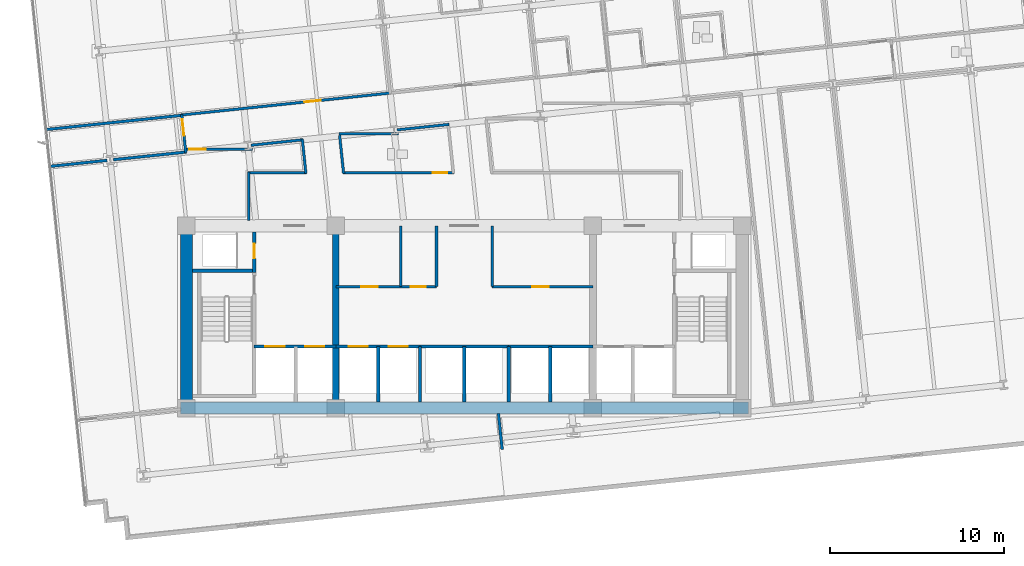
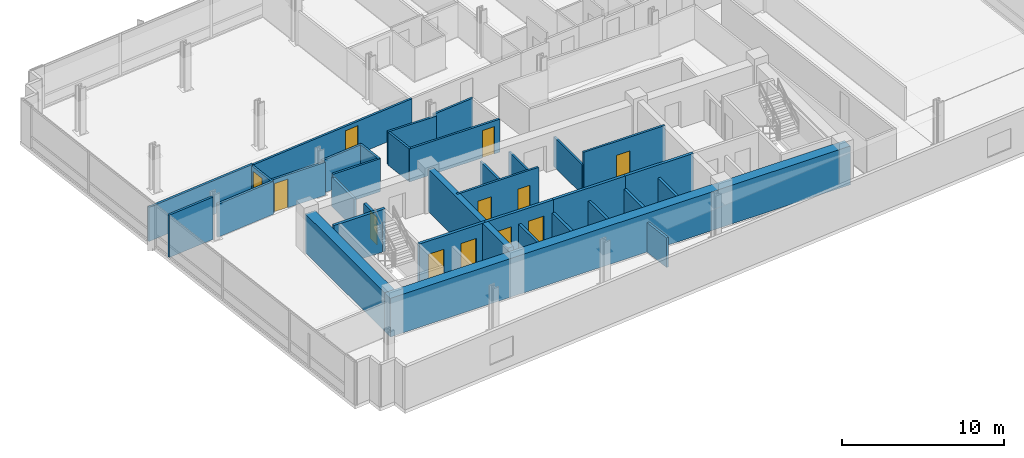
# One storey, part 10 of 17: 34 walls, 12 doors, 12 openings.
"""IFC4 building model written with IfcOpenShell, lengths in metres."""

import ifcopenshell
import ifcopenshell.guid

model = None  # the IFC model being written
_history = None  # IfcOwnerHistory: only IFC2X3 demands one
_inside = {}  # id of a spatial element -> (the spatial element, [elements in it])
_under = {}  # id of a project, library or spatial element -> (it, [spatial elements below it])
_declared = {}  # id of a project -> (the project, [libraries it declares])
_typed = {}  # id of a type object -> (the type object, [elements of that type])
_made_of = {}  # id of a material, layer set ... -> (it, [elements and type objects made of it])


def new_model(schema):
    """Start an empty IFC model of exactly this schema.

    Asked for "IFC4X3", IfcOpenShell would pick the latest addendum, in which some entities
    have other attributes; the version numbers below select the first issue.
    IFC2X3 requires an IfcOwnerHistory on every rooted entity: one is made here for all.
    """
    global model, _history
    if schema == "IFC4X3":
        model = ifcopenshell.file(schema_version=(4, 3, 0, 0))
    else:
        model = ifcopenshell.file(schema=schema)
    _inside.clear()
    _under.clear()
    _declared.clear()
    _typed.clear()
    _made_of.clear()
    _history = None
    if model.schema == "IFC2X3":
        org = make("IfcOrganization", Name="unknown")
        user = make(
            "IfcPersonAndOrganization",
            ThePerson=make("IfcPerson", FamilyName="unknown"),
            TheOrganization=org,
        )
        app = make(
            "IfcApplication",
            ApplicationDeveloper=org,
            Version="unknown",
            ApplicationFullName="unknown",
            ApplicationIdentifier="unknown",
        )
        _history = make(
            "IfcOwnerHistory",
            OwningUser=user,
            OwningApplication=app,
            ChangeAction="ADDED",
            CreationDate=0,
        )
    return model


def make(cls, **values):
    """One entity of the class cls with the attributes given. An attribute that is None is left unset."""
    return model.create_entity(
        cls, **{name: value for name, value in values.items() if value is not None}
    )


def rooted(cls, **values):
    """An entity with a GlobalId (a new one), such as an element, a storey or a relation."""
    return make(cls, GlobalId=ifcopenshell.guid.new(), OwnerHistory=_history, **values)


def si_unit(unit_type, name, prefix=None):
    """IfcSIUnit, for example si_unit("LENGTHUNIT", "METRE", prefix="MILLI")."""
    return make("IfcSIUnit", UnitType=unit_type, Prefix=prefix, Name=name)


def assignment(units):
    """IfcUnitAssignment: the units of a project."""
    return None if units is None else make("IfcUnitAssignment", Units=units)


def point(xyz):
    """IfcCartesianPoint."""
    return None if xyz is None else make("IfcCartesianPoint", Coordinates=xyz)


def direction(xyz):
    """IfcDirection."""
    return None if xyz is None else make("IfcDirection", DirectionRatios=xyz)


def frame(location, z_axis=None, x_axis=None):
    """IfcAxis2Placement3D, a coordinate frame: its origin and axes. An axis left out is left unset."""
    return make(
        "IfcAxis2Placement3D",
        Location=point(location),
        Axis=direction(z_axis),
        RefDirection=direction(x_axis),
    )


def frame_2d(location, x_axis=None):
    """IfcAxis2Placement2D, a coordinate frame in the plane: its origin and x axis."""
    return make(
        "IfcAxis2Placement2D", Location=point(location), RefDirection=direction(x_axis)
    )


def origin():
    """The frame at (0, 0, 0) with its axes left unset."""
    return frame((0.0, 0.0, 0.0))


def place(relative_to, where):
    """IfcLocalPlacement: puts the frame where relative to a parent placement (None: the world)."""
    return make(
        "IfcLocalPlacement", PlacementRelTo=relative_to, RelativePlacement=where
    )


def context(
    kind, dimensions, precision=None, world=None, true_north=None, identifier=None
):
    """IfcGeometricRepresentationContext, for example the 3D "Model" context."""
    return make(
        "IfcGeometricRepresentationContext",
        ContextIdentifier=identifier,
        ContextType=kind,
        CoordinateSpaceDimension=dimensions,
        Precision=precision,
        WorldCoordinateSystem=world,
        TrueNorth=true_north,
    )


def subcontext(parent, identifier, kind, view, scale=None):
    """IfcGeometricRepresentationSubContext, for example "Body" below "Model"."""
    return make(
        "IfcGeometricRepresentationSubContext",
        ContextIdentifier=identifier,
        ContextType=kind,
        ParentContext=parent,
        TargetScale=scale,
        TargetView=view,
    )


def project(units=None, contexts=None):
    """IfcProject with its units and contexts."""
    return rooted(
        "IfcProject",
        Name="project",
        RepresentationContexts=contexts,
        UnitsInContext=assignment(units),
    )


def spatial(cls, under=None, at=None, **own):
    """A site, building, storey or space (cls), placed at a placement, below another one or the project."""
    s = rooted(cls, ObjectPlacement=at, **own)
    if under is not None:
        _under.setdefault(under.id(), (under, []))[1].append(s)
    return s


def profile(cls, at=None, kind="AREA", **sizes):
    """A parametric profile (cls). Its sizes go by their IFC names, for example OverallWidth=200.0."""
    return make(cls, ProfileType=kind, Position=at, **sizes)


def rectangle(**sizes):
    """IfcRectangleProfileDef."""
    return profile("IfcRectangleProfileDef", **sizes)


def extrude(swept, where, along, depth):
    """IfcExtrudedAreaSolid: the profile swept, set in the frame where, extruded along a direction by depth."""
    return make(
        "IfcExtrudedAreaSolid",
        SweptArea=swept,
        Position=where,
        ExtrudedDirection=direction(along),
        Depth=depth,
    )


def shape(context_of_items, identifier, shape_type, items):
    """IfcShapeRepresentation: the items that make up one representation, for example the "Body"."""
    return make(
        "IfcShapeRepresentation",
        ContextOfItems=context_of_items,
        RepresentationIdentifier=identifier,
        RepresentationType=shape_type,
        Items=items,
    )


def material(Name=None, Category=None):
    """IfcMaterial."""
    return make("IfcMaterial", Name=Name, Category=Category)


def layer(
    of_material, thickness, ventilated=None, Name=None, Category=None, Priority=None
):
    """IfcMaterialLayer: one layer of a wall or slab, of a material (None: an air gap)."""
    return make(
        "IfcMaterialLayer",
        Material=of_material,
        LayerThickness=thickness,
        IsVentilated=ventilated,
        Name=Name,
        Category=Category,
        Priority=Priority,
    )


def layer_set(layers, Name=None):
    """IfcMaterialLayerSet."""
    return make("IfcMaterialLayerSet", MaterialLayers=layers, LayerSetName=Name)


def made_of(thing, what):
    """Note that an element or type object is made of a material, layer set ...; save() writes the relation."""
    if what is not None:
        _made_of.setdefault(what.id(), (what, []))[1].append(thing)
    return thing


def type_object(cls, material=None, **own):
    """A type object (cls), such as IfcWallType, which elements share."""
    return made_of(rooted(cls, **own), material)


def element(
    cls,
    number,
    at=None,
    inside=None,
    cuts=None,
    type_object=None,
    material=None,
    context=None,
    identifier="Body",
    shape_type=None,
    held_by="IfcProductDefinitionShape",
    body=None,
    shapes=None,
    **own,
):
    """One element of the class cls, such as IfcWall. Its Tag is "e" and its number.

    at: its placement. inside: the storey or other place that contains it. cuts: it is an
    opening in that element (IfcRelVoidsElement). A single representation is given by context,
    identifier, shape_type and body (its items); several are given by shapes. held_by: the class
    of the entity that holds the representations. save() writes the other relations.
    """
    e = rooted(cls, Tag="e%d" % number, ObjectPlacement=at, **own)
    if body is not None:
        shapes = [shape(context, identifier, shape_type, body)]
    if shapes is not None:
        e.Representation = make(held_by, Representations=shapes)
    if inside is not None:
        _inside.setdefault(inside.id(), (inside, []))[1].append(e)
    if cuts is not None:
        rooted(
            "IfcRelVoidsElement", RelatingBuildingElement=cuts, RelatedOpeningElement=e
        )
    if type_object is not None:
        _typed.setdefault(type_object.id(), (type_object, []))[1].append(e)
    return made_of(e, material)


def fill(opening, filler):
    """IfcRelFillsElement: the door or window that sits in an opening."""
    return rooted(
        "IfcRelFillsElement",
        RelatingOpeningElement=opening,
        RelatedBuildingElement=filler,
    )


def aggregate(whole, parts):
    """IfcRelAggregates: a whole, such as a stair, and the parts it consists of."""
    return rooted("IfcRelAggregates", RelatingObject=whole, RelatedObjects=parts)


def save(model, path):
    """Write the relations noted so far, then the file.

    IfcRelAggregates (storeys below a building ...), IfcRelContainedInSpatialStructure (elements
    in a storey), IfcRelDefinesByType, IfcRelAssociatesMaterial and IfcRelDeclares: one each for
    every whole, place, type object, material and project.
    """
    for whole, parts in _under.values():
        aggregate(whole, parts)
    for where, things in _inside.values():
        rooted(
            "IfcRelContainedInSpatialStructure",
            RelatedElements=things,
            RelatingStructure=where,
        )
    for kind, things in _typed.values():
        rooted("IfcRelDefinesByType", RelatedObjects=things, RelatingType=kind)
    for what, things in _made_of.values():
        rooted("IfcRelAssociatesMaterial", RelatedObjects=things, RelatingMaterial=what)
    for by, libraries in _declared.values():
        rooted("IfcRelDeclares", RelatingContext=by, RelatedDefinitions=libraries)
    model.write(path)


model = new_model("IFC4")

# Units and contexts
model_context = context("Model", 3, precision=1e-05, world=origin(), true_north=direction((0.0, 1.0)))
body_context = subcontext(model_context, "Body", "Model", "MODEL_VIEW")
ifc_project = project(units=[si_unit("LENGTHUNIT", "METRE"), si_unit("AREAUNIT", "SQUARE_METRE"), si_unit("VOLUMEUNIT", "CUBIC_METRE"), si_unit("PLANEANGLEUNIT", "RADIAN"), si_unit("MASSUNIT", "GRAM", prefix="KILO")], contexts=[model_context])

# Site, building, storey
site_placement = place(None, origin())
site = spatial("IfcSite", under=ifc_project, at=site_placement, CompositionType="ELEMENT")
building_placement = place(site_placement, origin())
building = spatial("IfcBuilding", under=site, at=building_placement, Name="Solmavex Isthmus Hotel", CompositionType="ELEMENT")
storey_placement = place(building_placement, frame((0.0, 0.0, 90.449951171875)))
storey = spatial("IfcBuildingStorey", under=building, at=storey_placement, Name="L24", CompositionType="ELEMENT", Elevation=90.449951171875)

# Walls
ifc_material_1 = material(Name="Gypsum plasterboard lining", Category="gypsum")
ifc_layer_1 = layer(ifc_material_1, 0.159912109375)
ifc_layer_set_1 = layer_set([ifc_layer_1], Name="Gypsum plasterboard lining")
wall_type_1 = type_object("IfcWallType", Name="IW-COMP-160", PredefinedType="PARTITIONING", material=ifc_layer_set_1)
wall_1_placement = place(storey_placement, frame((-16.221923828125, 3.86474609375, 0.0), z_axis=(0.0, 0.0, 1.0), x_axis=(-0.994522987852, -0.104518068455, 0.0)))
element("IfcWall", 1, at=wall_1_placement, inside=storey, type_object=wall_type_1, Name="Interior Partition Wall W-L24-P037", PredefinedType="PARTITIONING", context=body_context, shape_type="SweptSolid", body=[
    extrude(rectangle(XDim=7.927978515625, YDim=0.159912109375, at=frame_2d((3.9638671875, 0.0))), origin(), (0.0, 0.0, 1.0), 2.55322265625),
])
wall_2_placement = place(storey_placement, frame((-20.558349609375, 1.267333984375, 0.0), z_axis=(0.0, 0.0, 1.0), x_axis=(-0.99451904707, -0.10455555946, 0.0)))
element("IfcWall", 2, at=wall_2_placement, inside=storey, type_object=wall_type_1, Name="Interior Partition Wall W-L24-P068", PredefinedType="PARTITIONING", context=body_context, shape_type="SweptSolid", body=[
    extrude(rectangle(XDim=3.34375, YDim=0.159912109375, at=frame_2d((1.671875, 0.0))), origin(), (0.0, 0.0, 1.0), 3.18994140625),
])
wall_3_placement = place(storey_placement, frame((-15.9892578125, 1.74755859375, 0.0), z_axis=(0.0, 0.0, 1.0), x_axis=(-0.994523098997, -0.104517010867, 0.0)))
element("IfcWall", 3, at=wall_3_placement, inside=storey, type_object=wall_type_1, Name="Interior Partition Wall W-L24-P069", PredefinedType="PARTITIONING", context=body_context, shape_type="SweptSolid", body=[
    extrude(rectangle(XDim=4.241943359375, YDim=0.159912109375, at=frame_2d((2.12109375, 0.0))), origin(), (0.0, 0.0, 1.0), 2.4794921875),
])
wall_4_placement = place(storey_placement, frame((1.965087890625, -13.310302734375, 0.0), z_axis=(0.0, 0.0, 1.0), x_axis=(0.104464822166, -0.994528582259, 0.0)))
element("IfcWall", 4, at=wall_4_placement, inside=storey, type_object=wall_type_1, Name="Interior Partition Wall W-L24-P071", PredefinedType="PARTITIONING", context=body_context, shape_type="SweptSolid", body=[
    extrude(rectangle(XDim=2.080078125, YDim=0.159912109375, at=frame_2d((1.0400390625, 0.0))), origin(), (0.0, 0.0, 1.0), 2.22509765625),
])

# Wall, openings, doors
ifc_layer_2 = layer(ifc_material_1, 0.14990234375)
ifc_layer_set_2 = layer_set([ifc_layer_2], Name="Gypsum plasterboard lining")
wall_type_2 = type_object("IfcWallType", Name="IW-CORR-150", PredefinedType="PARTITIONING", material=ifc_layer_set_2)
wall_5_placement = place(storey_placement, frame((-7.39990234375, -6.0, 0.0), z_axis=(0.0, 0.0, 1.0), x_axis=(1.0, 0.0, 0.0)))
wall_5 = element("IfcWall", 5, at=wall_5_placement, inside=storey, type_object=wall_type_2, Name="Interior Partition Wall W-L24-BOH-WS", PredefinedType="PARTITIONING", context=body_context, shape_type="SweptSolid", body=[
    extrude(rectangle(XDim=5.7998046875, YDim=0.14990234375, at=frame_2d((2.89990234375, 0.0))), origin(), (0.0, 0.0, 1.0), 3.18994140625),
])
opening_1_placement = place(wall_5_placement, frame((1.47509765625, 0.0, 0.0)))
opening_1 = element("IfcOpeningElement", 6, at=opening_1_placement, cuts=wall_5, Name="Opening ID-C095", PredefinedType="OPENING", context=body_context, shape_type="SweptSolid", body=[
    extrude(rectangle(XDim=0.949951171875, YDim=2.14990234375, at=frame_2d((0.47509765625, 1.074951171875))), frame((0.0, 0.0849609375, 0.0), z_axis=(0.0, -1.0, 0.0), x_axis=(1.0, 0.0, 0.0)), (0.0, 0.0, 1.0), 0.169921875),
])
opening_2_placement = place(wall_5_placement, frame((4.324951171875, 0.0, 0.0)))
opening_2 = element("IfcOpeningElement", 7, at=opening_2_placement, cuts=wall_5, Name="Opening ID-R085", PredefinedType="OPENING", context=body_context, shape_type="SweptSolid", body=[
    extrude(rectangle(XDim=0.85009765625, YDim=2.050048828125, at=frame_2d((0.425048828125, 1.02490234375))), frame((0.0, 0.0849609375, 0.0), z_axis=(0.0, -1.0, 0.0), x_axis=(1.0, 0.0, 0.0)), (0.0, 0.0, 1.0), 0.169921875),
])
ifc_material_2 = material(Name="Steel ASTM A500 Grade C", Category="steel")
door_type_1 = type_object("IfcDoorType", Name="IDR-FD60-0850", OperationType="NOTDEFINED", PredefinedType="DOOR", material=ifc_material_2)
door_1_placement = place(opening_2_placement, frame((0.85009765625, 0.0, 0.0), z_axis=(0.0, 0.0, 1.0), x_axis=(-1.0, 0.0, 0.0)))
door_1 = element("IfcDoor", 8, at=door_1_placement, inside=storey, type_object=door_type_1, Name="Cleaner Closet Door L24", OperationType="SINGLE_SWING_RIGHT", OverallHeight=2.050048828125, OverallWidth=0.85009765625, PredefinedType="DOOR", context=body_context, shape_type="SweptSolid", body=[
    extrude(rectangle(XDim=0.85009765625, YDim=2.050048828125, at=frame_2d((0.425048828125, 1.02490234375))), frame((0.0, 0.02490234375, 0.0), z_axis=(0.0, -1.0, 0.0), x_axis=(1.0, 0.0, 0.0)), (0.0, 0.0, 1.0), 0.050048828125),
])
fill(opening_2, door_1)
ifc_material_3 = material(Name="Hardwood timber", Category="wood")
door_type_2 = type_object("IfcDoorType", Name="IDR-FD60-0950", OperationType="NOTDEFINED", PredefinedType="DOOR", material=ifc_material_3)
door_2_placement = place(opening_1_placement, frame((0.949951171875, 0.0, 0.0), z_axis=(0.0, 0.0, 1.0), x_axis=(-1.0, 0.0, 0.0)))
door_2 = element("IfcDoor", 9, at=door_2_placement, inside=storey, type_object=door_type_2, Name="Housekeeping Store Door L24", OperationType="SINGLE_SWING_LEFT", OverallHeight=2.14990234375, OverallWidth=0.949951171875, PredefinedType="DOOR", context=body_context, shape_type="SweptSolid", body=[
    extrude(rectangle(XDim=0.949951171875, YDim=2.14990234375, at=frame_2d((0.47509765625, 1.074951171875))), frame((0.0, 0.02490234375, 0.0), z_axis=(0.0, -1.0, 0.0), x_axis=(1.0, 0.0, 0.0)), (0.0, 0.0, 1.0), 0.050048828125),
])
fill(opening_1, door_2)

# Wall
wall_6_placement = place(storey_placement, frame((-1.60009765625, -6.0, 0.0), z_axis=(0.0, 0.0, 1.0), x_axis=(0.0, 1.0, 0.0)))
element("IfcWall", 10, at=wall_6_placement, inside=storey, type_object=wall_type_2, Name="Interior Partition Wall W-L24-BOH-WE", PredefinedType="PARTITIONING", context=body_context, shape_type="SweptSolid", body=[
    extrude(rectangle(XDim=3.5, YDim=0.14990234375, at=frame_2d((1.75, 0.0))), origin(), (0.0, 0.0, 1.0), 2.22509765625),
])

# Wall, opening, door
wall_7_placement = place(storey_placement, frame((1.60009765625, -6.0, 0.0), z_axis=(0.0, 0.0, 1.0), x_axis=(1.0, 0.0, 0.0)))
wall_7 = element("IfcWall", 11, at=wall_7_placement, inside=storey, type_object=wall_type_2, Name="Interior Partition Wall W-L24-BOH-ES", PredefinedType="PARTITIONING", context=body_context, shape_type="SweptSolid", body=[
    extrude(rectangle(XDim=5.7998046875, YDim=0.14990234375, at=frame_2d((2.89990234375, 0.0))), origin(), (0.0, 0.0, 1.0), 3.18994140625),
])
opening_3_placement = place(wall_7_placement, frame((2.324951171875, 0.0, 0.0)))
opening_3 = element("IfcOpeningElement", 12, at=opening_3_placement, cuts=wall_7, Name="Opening ID-C095", PredefinedType="OPENING", context=body_context, shape_type="SweptSolid", body=[
    extrude(rectangle(XDim=0.949951171875, YDim=2.14990234375, at=frame_2d((0.47509765625, 1.074951171875))), frame((0.0, 0.0849609375, 0.0), z_axis=(0.0, -1.0, 0.0), x_axis=(1.0, 0.0, 0.0)), (0.0, 0.0, 1.0), 0.169921875),
])
door_3_placement = place(opening_3_placement, frame((0.949951171875, 0.0, 0.0), z_axis=(0.0, 0.0, 1.0), x_axis=(-1.0, 0.0, 0.0)))
door_3 = element("IfcDoor", 13, at=door_3_placement, inside=storey, type_object=door_type_2, Name="Butler Pantry Door L24", OperationType="SINGLE_SWING_RIGHT", OverallHeight=2.14990234375, OverallWidth=0.949951171875, PredefinedType="DOOR", context=body_context, shape_type="SweptSolid", body=[
    extrude(rectangle(XDim=0.949951171875, YDim=2.14990234375, at=frame_2d((0.47509765625, 1.074951171875))), frame((0.0, 0.02490234375, 0.0), z_axis=(0.0, -1.0, 0.0), x_axis=(1.0, 0.0, 0.0)), (0.0, 0.0, 1.0), 0.050048828125),
])
fill(opening_3, door_3)

# Wall
wall_8_placement = place(storey_placement, frame((1.60009765625, -6.0, 0.0), z_axis=(0.0, 0.0, 1.0), x_axis=(0.0, 1.0, 0.0)))
element("IfcWall", 14, at=wall_8_placement, inside=storey, type_object=wall_type_2, Name="Interior Partition Wall W-L24-BOH-EW", PredefinedType="PARTITIONING", context=body_context, shape_type="SweptSolid", body=[
    extrude(rectangle(XDim=3.5, YDim=0.14990234375, at=frame_2d((1.75, 0.0))), origin(), (0.0, 0.0, 1.0), 2.22509765625),
])

# Wall, opening, door
wall_9_placement = place(storey_placement, frame((-16.303466796875, 3.87646484375, 0.0), z_axis=(0.0, 0.0, 1.0), x_axis=(0.994522343224, 0.104524202122, 0.0)))
wall_9 = element("IfcWall", 15, at=wall_9_placement, inside=storey, type_object=wall_type_2, Name="Interior Partition Wall W-L24-P001", PredefinedType="PARTITIONING", context=body_context, shape_type="SweptSolid", body=[
    extrude(rectangle(XDim=12.187744140625, YDim=0.14990234375, at=frame_2d((6.09375, 0.0))), origin(), (0.0, 0.0, 1.0), 2.4794921875),
])
opening_4_placement = place(wall_9_placement, frame((7.14453125, 0.0, 0.0)))
opening_4 = element("IfcOpeningElement", 16, at=opening_4_placement, cuts=wall_9, Name="Opening ID-C095", PredefinedType="OPENING", context=body_context, shape_type="SweptSolid", body=[
    extrude(rectangle(XDim=0.949951171875, YDim=2.14990234375, at=frame_2d((0.47509765625, 1.074951171875))), frame((0.0, 0.0849609375, 0.0), z_axis=(0.0, -1.0, 0.0), x_axis=(1.0, 0.0, 0.0)), (0.0, 0.0, 1.0), 0.169921875),
])
door_4_placement = place(opening_4_placement, origin())
door_4 = element("IfcDoor", 17, at=door_4_placement, inside=storey, type_object=door_type_2, Name="Corporate Briefing Office Door L24-01", OperationType="SINGLE_SWING_LEFT", OverallHeight=2.14990234375, OverallWidth=0.949951171875, PredefinedType="DOOR", context=body_context, shape_type="SweptSolid", body=[
    extrude(rectangle(XDim=0.949951171875, YDim=2.14990234375, at=frame_2d((0.47509765625, 1.074951171875))), frame((0.0, 0.02490234375, 0.0), z_axis=(0.0, -1.0, 0.0), x_axis=(1.0, 0.0, 0.0)), (0.0, 0.0, 1.0), 0.050048828125),
])
fill(opening_4, door_4)

# Walls
wall_10_placement = place(storey_placement, frame((-3.7841796875, 2.78857421875, 0.0), z_axis=(0.0, 0.0, 1.0), x_axis=(-1.0, 0.0, 0.0)))
element("IfcWall", 18, at=wall_10_placement, inside=storey, type_object=wall_type_2, Name="Interior Partition Wall W-L24-P010", PredefinedType="PARTITIONING", context=body_context, shape_type="SweptSolid", body=[
    extrude(rectangle(XDim=3.430419921875, YDim=0.14990234375, at=frame_2d((1.71533203125, 0.0))), origin(), (0.0, 0.0, 1.0), 2.4794921875),
])
wall_11_placement = place(storey_placement, frame((-7.178955078125, 2.7138671875, 0.0), z_axis=(0.0, 0.0, 1.0), x_axis=(0.104455355485, -0.994529576589, 0.0)))
element("IfcWall", 19, at=wall_11_placement, inside=storey, type_object=wall_type_2, Name="Interior Partition Wall W-L24-P011", PredefinedType="PARTITIONING", context=body_context, shape_type="SweptSolid", body=[
    extrude(rectangle(XDim=2.2158203125, YDim=0.14990234375, at=frame_2d((1.10791015625, 0.0))), origin(), (0.0, 0.0, 1.0), 2.4794921875),
])

# Wall, opening, door
wall_12_placement = place(storey_placement, frame((-6.99169921875, 0.550048828125, 0.0), z_axis=(0.0, 0.0, 1.0), x_axis=(1.0, 0.0, 0.0)))
wall_12 = element("IfcWall", 20, at=wall_12_placement, inside=storey, type_object=wall_type_2, Name="Interior Partition Wall W-L24-P012", PredefinedType="PARTITIONING", context=body_context, shape_type="SweptSolid", body=[
    extrude(rectangle(XDim=6.400634765625, YDim=0.14990234375, at=frame_2d((3.2001953125, 0.0))), origin(), (0.0, 0.0, 1.0), 2.4794921875),
])
opening_5_placement = place(wall_12_placement, frame((5.16455078125, 0.0, 0.0)))
opening_5 = element("IfcOpeningElement", 21, at=opening_5_placement, cuts=wall_12, Name="Opening ID-R085", PredefinedType="OPENING", context=body_context, shape_type="SweptSolid", body=[
    extrude(rectangle(XDim=0.85009765625, YDim=2.050048828125, at=frame_2d((0.425048828125, 1.02490234375))), frame((0.0, 0.0849609375, 0.0), z_axis=(0.0, -1.0, 0.0), x_axis=(1.0, 0.0, 0.0)), (0.0, 0.0, 1.0), 0.169921875),
])
door_5_placement = place(opening_5_placement, frame((0.85009765625, 0.0, 0.0), z_axis=(0.0, 0.0, 1.0), x_axis=(-1.0, 0.0, 0.0)))
door_5 = element("IfcDoor", 22, at=door_5_placement, inside=storey, type_object=door_type_1, Name="Accessible Public Restroom WC Door L24-13", OperationType="SINGLE_SWING_LEFT", OverallHeight=2.050048828125, OverallWidth=0.85009765625, PredefinedType="DOOR", context=body_context, shape_type="SweptSolid", body=[
    extrude(rectangle(XDim=0.85009765625, YDim=2.050048828125, at=frame_2d((0.425048828125, 1.02490234375))), frame((0.0, 0.02490234375, 0.0), z_axis=(0.0, -1.0, 0.0), x_axis=(1.0, 0.0, 0.0)), (0.0, 0.0, 1.0), 0.050048828125),
])
fill(opening_5, door_5)

# Wall
wall_13_placement = place(storey_placement, frame((-0.883544921875, 3.335205078125, 0.0), z_axis=(0.0, 0.0, 1.0), x_axis=(-0.994522848096, -0.104519398272, 0.0)))
element("IfcWall", 23, at=wall_13_placement, inside=storey, type_object=wall_type_2, Name="Interior Partition Wall W-L24-P014", PredefinedType="PARTITIONING", context=body_context, shape_type="SweptSolid", body=[
    extrude(rectangle(XDim=2.996826171875, YDim=0.14990234375, at=frame_2d((1.49853515625, 0.0))), origin(), (0.0, 0.0, 1.0), 2.4794921875),
])

# Wall, opening, door
wall_14_placement = place(storey_placement, frame((-16.034912109375, 1.70263671875, 0.0), z_axis=(0.0, 0.0, 1.0), x_axis=(-0.104512255544, 0.994523598735, 0.0)))
wall_14 = element("IfcWall", 24, at=wall_14_placement, inside=storey, type_object=wall_type_2, Name="Interior Partition Wall W-L24-P016", PredefinedType="PARTITIONING", context=body_context, shape_type="SweptSolid", body=[
    extrude(rectangle(XDim=2.2099609375, YDim=0.14990234375, at=frame_2d((1.10498046875, 0.0))), origin(), (0.0, 0.0, 1.0), 2.4794921875),
])
opening_6_placement = place(wall_14_placement, frame((0.98779296875, 0.0, 0.0)))
opening_6 = element("IfcOpeningElement", 25, at=opening_6_placement, cuts=wall_14, Name="Opening ID-C095", PredefinedType="OPENING", context=body_context, shape_type="SweptSolid", body=[
    extrude(rectangle(XDim=0.949951171875, YDim=2.14990234375, at=frame_2d((0.47509765625, 1.074951171875))), frame((0.0, 0.0849609375, 0.0), z_axis=(0.0, -1.0, 0.0), x_axis=(1.0, 0.0, 0.0)), (0.0, 0.0, 1.0), 0.169921875),
])
door_6_placement = place(opening_6_placement, origin())
door_6 = element("IfcDoor", 26, at=door_6_placement, inside=storey, type_object=door_type_2, Name="Catering Servery Kitchen Door L24-15", OperationType="SINGLE_SWING_LEFT", OverallHeight=2.14990234375, OverallWidth=0.949951171875, PredefinedType="DOOR", context=body_context, shape_type="SweptSolid", body=[
    extrude(rectangle(XDim=0.949951171875, YDim=2.14990234375, at=frame_2d((0.47509765625, 1.074951171875))), frame((0.0, 0.02490234375, 0.0), z_axis=(0.0, -1.0, 0.0), x_axis=(1.0, 0.0, 0.0)), (0.0, 0.0, 1.0), 0.050048828125),
])
fill(opening_6, door_6)

# Walls
wall_15_placement = place(storey_placement, frame((-12.39990234375, -2.18994140625, 0.0), z_axis=(0.0, 0.0, 1.0), x_axis=(0.0, 1.0, 0.0)))
element("IfcWall", 27, at=wall_15_placement, inside=storey, type_object=wall_type_2, Name="Interior Partition Wall W-L24-P017", PredefinedType="PARTITIONING", context=body_context, shape_type="SweptSolid", body=[
    extrude(rectangle(XDim=2.780029296875, YDim=0.14990234375, at=frame_2d((1.39013671875, 0.0))), origin(), (0.0, 0.0, 1.0), 2.22509765625),
])
wall_16_placement = place(storey_placement, frame((-12.43994140625, 0.550048828125, 0.0), z_axis=(0.0, 0.0, 1.0), x_axis=(1.0, 0.0, 0.0)))
element("IfcWall", 28, at=wall_16_placement, inside=storey, type_object=wall_type_2, Name="Interior Partition Wall W-L24-P018", PredefinedType="PARTITIONING", context=body_context, shape_type="SweptSolid", body=[
    extrude(rectangle(XDim=3.3564453125, YDim=0.14990234375, at=frame_2d((1.67822265625, 0.0))), origin(), (0.0, 0.0, 1.0), 2.4794921875),
])
wall_17_placement = place(storey_placement, frame((-9.119384765625, 0.51025390625, 0.0), z_axis=(0.0, 0.0, 1.0), x_axis=(-0.104473893665, 0.994527629351, 0.0)))
element("IfcWall", 29, at=wall_17_placement, inside=storey, type_object=wall_type_2, Name="Interior Partition Wall W-L24-P019", PredefinedType="PARTITIONING", context=body_context, shape_type="SweptSolid", body=[
    extrude(rectangle(XDim=1.98876953125, YDim=0.14990234375, at=frame_2d((0.994384765625, 0.0))), origin(), (0.0, 0.0, 1.0), 2.4794921875),
])
wall_18_placement = place(storey_placement, frame((-9.283203125, 2.452392578125, 0.0), z_axis=(0.0, 0.0, 1.0), x_axis=(-0.994518748051, -0.104558403652, 0.0)))
element("IfcWall", 30, at=wall_18_placement, inside=storey, type_object=wall_type_2, Name="Interior Partition Wall W-L24-P020", PredefinedType="PARTITIONING", context=body_context, shape_type="SweptSolid", body=[
    extrude(rectangle(XDim=3.016845703125, YDim=0.14990234375, at=frame_2d((1.50830078125, 0.0))), origin(), (0.0, 0.0, 1.0), 2.4794921875),
])

# Wall, opening, door
wall_19_placement = place(storey_placement, frame((-12.203857421875, 1.903564453125, 0.0), z_axis=(0.0, 0.0, 1.0), x_axis=(-1.0, 0.0, 0.0)))
wall_19 = element("IfcWall", 31, at=wall_19_placement, inside=storey, type_object=wall_type_2, Name="Interior Partition Wall W-L24-P021", PredefinedType="PARTITIONING", context=body_context, shape_type="SweptSolid", body=[
    extrude(rectangle(XDim=3.875, YDim=0.14990234375, at=frame_2d((1.9375, 0.0))), origin(), (0.0, 0.0, 1.0), 2.4794921875),
])
opening_7_placement = place(wall_19_placement, frame((2.6669921875, 0.0, 0.0)))
opening_7 = element("IfcOpeningElement", 32, at=opening_7_placement, cuts=wall_19, Name="Opening ID-C095", PredefinedType="OPENING", context=body_context, shape_type="SweptSolid", body=[
    extrude(rectangle(XDim=0.949951171875, YDim=2.14990234375, at=frame_2d((0.47509765625, 1.074951171875))), frame((0.0, 0.0849609375, 0.0), z_axis=(0.0, -1.0, 0.0), x_axis=(1.0, 0.0, 0.0)), (0.0, 0.0, 1.0), 0.169921875),
])
door_7_placement = place(opening_7_placement, origin())
door_7 = element("IfcDoor", 33, at=door_7_placement, inside=storey, type_object=door_type_2, Name="VIP Briefing Office Door L24-16", OperationType="SINGLE_SWING_RIGHT", OverallHeight=2.14990234375, OverallWidth=0.949951171875, PredefinedType="DOOR", context=body_context, shape_type="SweptSolid", body=[
    extrude(rectangle(XDim=0.949951171875, YDim=2.14990234375, at=frame_2d((0.47509765625, 1.074951171875))), frame((0.0, 0.02490234375, 0.0), z_axis=(0.0, -1.0, 0.0), x_axis=(1.0, 0.0, 0.0)), (0.0, 0.0, 1.0), 0.050048828125),
])
fill(opening_7, door_7)

# Walls
ifc_layer_3 = layer(ifc_material_1, 0.1201171875)
ifc_layer_set_3 = layer_set([ifc_layer_3], Name="Gypsum plasterboard lining")
wall_type_3 = type_object("IfcWallType", Name="IW-PART-120", PredefinedType="PARTITIONING", material=ifc_layer_set_3)
wall_20_placement = place(storey_placement, frame((-3.64990234375, -6.0, 0.0), z_axis=(0.0, 0.0, 1.0), x_axis=(0.0, 1.0, 0.0)))
element("IfcWall", 34, at=wall_20_placement, inside=storey, type_object=wall_type_3, Name="Interior Partition Wall W-L24-BOH-WM1", PredefinedType="PARTITIONING", context=body_context, shape_type="SweptSolid", body=[
    extrude(rectangle(XDim=3.5, YDim=0.14990234375, at=frame_2d((1.75, 0.0))), origin(), (0.0, 0.0, 1.0), 2.22509765625),
])
ifc_material_4 = material(Name="Concrete C40/50", Category="concrete")
ifc_layer_4 = layer(ifc_material_4, 0.179931640625)
ifc_layer_set_4 = layer_set([ifc_layer_4], Name="Concrete C40/50")
wall_type_4 = type_object("IfcWallType", Name="IW-SHAFT-180", PredefinedType="PARTITIONING", material=ifc_layer_set_4)
for number, where, z_axis, x_axis, name in (
    (35, (-4.949951171875, -12.64990234375, 0.0), (0.0, 0.0, 1.0), (0.0, 1.0, 0.0), "Interior Partition Wall W-L24-SH-PLL-M"),
    (36, (0.0, -12.64990234375, 0.0), (0.0, 0.0, 1.0), (0.0, 1.0, 0.0), "Interior Partition Wall W-L24-SH-PLM-M"),
    (37, (4.949951171875, -12.64990234375, 0.0), (0.0, 0.0, 1.0), (0.0, 1.0, 0.0), "Interior Partition Wall W-L24-SH-PLH-M"),
):
    element("IfcWall", number, at=place(storey_placement, frame(where, z_axis=z_axis, x_axis=x_axis)), inside=storey, type_object=wall_type_4, Name=name, PredefinedType="PARTITIONING", context=body_context, shape_type="SweptSolid", body=[
        extrude(rectangle(XDim=3.199951171875, YDim=0.179931640625, at=frame_2d((1.60009765625, 0.0))), origin(), (0.0, 0.0, 1.0), 2.22509765625),
    ])

# Wall, opening, door
ifc_layer_5 = layer(ifc_material_4, 0.199951171875)
ifc_layer_set_5 = layer_set([ifc_layer_5], Name="Concrete C40/50")
wall_type_5 = type_object("IfcWallType", Name="IW-SHAFT-200", PredefinedType="PARTITIONING", material=ifc_layer_set_5)
wall_21_placement = place(storey_placement, frame((-12.10009765625, -5.199951171875, 0.0), z_axis=(0.0, 0.0, 1.0), x_axis=(0.0, 1.0, 0.0)))
wall_21 = element("IfcWall", 38, at=wall_21_placement, inside=storey, type_object=wall_type_5, Name="Interior Partition Wall W-L24-RSW-E", PredefinedType="PARTITIONING", context=body_context, shape_type="SweptSolid", body=[
    extrude(rectangle(XDim=2.349853515625, YDim=0.199951171875, at=frame_2d((1.1748046875, 0.0))), origin(), (0.0, 0.0, 1.0), 2.22509765625),
])
opening_8_placement = place(wall_21_placement, frame((0.824951171875, 0.0, 0.0)))
opening_8 = element("IfcOpeningElement", 39, at=opening_8_placement, cuts=wall_21, Name="Opening ID-R085", PredefinedType="OPENING", context=body_context, shape_type="SweptSolid", body=[
    extrude(rectangle(XDim=0.85009765625, YDim=2.050048828125, at=frame_2d((0.425048828125, 1.02490234375))), frame((0.0, 0.10986328125, 0.0), z_axis=(0.0, -1.0, 0.0), x_axis=(1.0, 0.0, 0.0)), (0.0, 0.0, 1.0), 0.219970703125),
])
door_8_placement = place(opening_8_placement, origin())
door_8 = element("IfcDoor", 40, at=door_8_placement, inside=storey, type_object=door_type_1, Name="Electrical Riser Door L24", OperationType="SINGLE_SWING_RIGHT", OverallHeight=2.050048828125, OverallWidth=0.85009765625, PredefinedType="DOOR", context=body_context, shape_type="SweptSolid", body=[
    extrude(rectangle(XDim=0.85009765625, YDim=2.050048828125, at=frame_2d((0.425048828125, 1.02490234375))), frame((0.0, 0.02490234375, 0.0), z_axis=(0.0, -1.0, 0.0), x_axis=(1.0, 0.0, 0.0)), (0.0, 0.0, 1.0), 0.050048828125),
])
fill(opening_8, door_8)

# Wall, openings, doors
wall_22_placement = place(storey_placement, frame((-12.10009765625, -9.449951171875, 0.0), z_axis=(0.0, 0.0, 1.0), x_axis=(1.0, 0.0, 0.0)))
wall_22 = element("IfcWall", 41, at=wall_22_placement, inside=storey, type_object=wall_type_5, Name="Interior Partition Wall W-L24-FFLW-S", PredefinedType="PARTITIONING", context=body_context, shape_type="SweptSolid", body=[
    extrude(rectangle(XDim=4.7001953125, YDim=0.199951171875, at=frame_2d((2.35009765625, 0.0))), origin(), (0.0, 0.0, 1.0), 3.18994140625),
])
opening_9_placement = place(wall_22_placement, frame((0.64990234375, 0.0, 0.0)))
opening_9 = element("IfcOpeningElement", 42, at=opening_9_placement, cuts=wall_22, Name="Opening LD-FF", PredefinedType="OPENING", context=body_context, shape_type="SweptSolid", body=[
    extrude(rectangle(XDim=1.10009765625, YDim=2.199951171875, at=frame_2d((0.550048828125, 1.10009765625))), frame((0.0, 0.10986328125, 0.0), z_axis=(0.0, -1.0, 0.0), x_axis=(1.0, 0.0, 0.0)), (0.0, 0.0, 1.0), 0.219970703125),
])
opening_10_placement = place(wall_22_placement, frame((2.949951171875, 0.0, 0.0)))
opening_10 = element("IfcOpeningElement", 43, at=opening_10_placement, cuts=wall_22, Name="Opening LD-SV", PredefinedType="OPENING", context=body_context, shape_type="SweptSolid", body=[
    extrude(rectangle(XDim=1.10009765625, YDim=2.199951171875, at=frame_2d((0.550048828125, 1.10009765625))), frame((0.0, 0.10986328125, 0.0), z_axis=(0.0, -1.0, 0.0), x_axis=(1.0, 0.0, 0.0)), (0.0, 0.0, 1.0), 0.219970703125),
])
ifc_material_5 = material(Name="Stainless steel 316", Category="steel")
door_type_3 = type_object("IfcDoorType", Name="LDR-FF-1100", OperationType="NOTDEFINED", PredefinedType="DOOR", material=ifc_material_5)
door_9_placement = place(opening_9_placement, origin())
door_9 = element("IfcDoor", 44, at=door_9_placement, inside=storey, type_object=door_type_3, Name="Lift Landing Door FFL-1 L24", OperationType="SLIDING_TO_LEFT", OverallHeight=2.199951171875, OverallWidth=1.10009765625, PredefinedType="DOOR", context=body_context, shape_type="SweptSolid", body=[
    extrude(rectangle(XDim=1.10009765625, YDim=2.199951171875, at=frame_2d((0.550048828125, 1.10009765625))), frame((0.0, 0.02490234375, 0.0), z_axis=(0.0, -1.0, 0.0), x_axis=(1.0, 0.0, 0.0)), (0.0, 0.0, 1.0), 0.050048828125),
])
fill(opening_9, door_9)
door_type_4 = type_object("IfcDoorType", Name="LDR-SV-1100", OperationType="NOTDEFINED", PredefinedType="DOOR", material=ifc_material_5)
door_10_placement = place(opening_10_placement, origin())
door_10 = element("IfcDoor", 45, at=door_10_placement, inside=storey, type_object=door_type_4, Name="Lift Landing Door SVL-1 L24", OperationType="SLIDING_TO_RIGHT", OverallHeight=2.199951171875, OverallWidth=1.10009765625, PredefinedType="DOOR", context=body_context, shape_type="SweptSolid", body=[
    extrude(rectangle(XDim=1.10009765625, YDim=2.199951171875, at=frame_2d((0.550048828125, 1.10009765625))), frame((0.0, 0.02490234375, 0.0), z_axis=(0.0, -1.0, 0.0), x_axis=(1.0, 0.0, 0.0)), (0.0, 0.0, 1.0), 0.050048828125),
])
fill(opening_10, door_10)

wall_23_placement = place(storey_placement, frame((-7.39990234375, -9.449951171875, 0.0), z_axis=(0.0, 0.0, 1.0), x_axis=(1.0, 0.0, 0.0)))
wall_23 = element("IfcWall", 46, at=wall_23_placement, inside=storey, type_object=wall_type_5, Name="Interior Partition Wall W-L24-SH-PLL", PredefinedType="PARTITIONING", context=body_context, shape_type="SweptSolid", body=[
    extrude(rectangle(XDim=4.849853515625, YDim=0.199951171875, at=frame_2d((2.4248046875, 0.0))), origin(), (0.0, 0.0, 1.0), 3.18994140625),
])
opening_11_placement = place(wall_23_placement, frame((0.75, 0.0, 0.0)))
opening_11 = element("IfcOpeningElement", 47, at=opening_11_placement, cuts=wall_23, Name="Opening LD-PL", PredefinedType="OPENING", context=body_context, shape_type="SweptSolid", body=[
    extrude(rectangle(XDim=1.10009765625, YDim=2.199951171875, at=frame_2d((0.550048828125, 1.10009765625))), frame((0.0, 0.10986328125, 0.0), z_axis=(0.0, -1.0, 0.0), x_axis=(1.0, 0.0, 0.0)), (0.0, 0.0, 1.0), 0.219970703125),
])
opening_12_placement = place(wall_23_placement, frame((3.050048828125, 0.0, 0.0)))
opening_12 = element("IfcOpeningElement", 48, at=opening_12_placement, cuts=wall_23, Name="Opening LD-PL", PredefinedType="OPENING", context=body_context, shape_type="SweptSolid", body=[
    extrude(rectangle(XDim=1.10009765625, YDim=2.199951171875, at=frame_2d((0.550048828125, 1.10009765625))), frame((0.0, 0.10986328125, 0.0), z_axis=(0.0, -1.0, 0.0), x_axis=(1.0, 0.0, 0.0)), (0.0, 0.0, 1.0), 0.219970703125),
])
door_type_5 = type_object("IfcDoorType", Name="LDR-PL-1100", OperationType="NOTDEFINED", PredefinedType="DOOR", material=ifc_material_5)
door_11_placement = place(opening_11_placement, origin())
door_11 = element("IfcDoor", 49, at=door_11_placement, inside=storey, type_object=door_type_5, Name="Lift Landing Door PLL1 L24", OperationType="SLIDING_TO_LEFT", OverallHeight=2.199951171875, OverallWidth=1.10009765625, PredefinedType="DOOR", context=body_context, shape_type="SweptSolid", body=[
    extrude(rectangle(XDim=1.10009765625, YDim=2.199951171875, at=frame_2d((0.550048828125, 1.10009765625))), frame((0.0, 0.02490234375, 0.0), z_axis=(0.0, -1.0, 0.0), x_axis=(1.0, 0.0, 0.0)), (0.0, 0.0, 1.0), 0.050048828125),
])
fill(opening_11, door_11)
door_12_placement = place(opening_12_placement, origin())
door_12 = element("IfcDoor", 50, at=door_12_placement, inside=storey, type_object=door_type_5, Name="Lift Landing Door PLL2 L24", OperationType="SLIDING_TO_LEFT", OverallHeight=2.199951171875, OverallWidth=1.10009765625, PredefinedType="DOOR", context=body_context, shape_type="SweptSolid", body=[
    extrude(rectangle(XDim=1.10009765625, YDim=2.199951171875, at=frame_2d((0.550048828125, 1.10009765625))), frame((0.0, 0.02490234375, 0.0), z_axis=(0.0, -1.0, 0.0), x_axis=(1.0, 0.0, 0.0)), (0.0, 0.0, 1.0), 0.050048828125),
])
fill(opening_12, door_12)

# Walls
wall_24_placement = place(storey_placement, frame((-2.550048828125, -12.64990234375, 0.0), z_axis=(0.0, 0.0, 1.0), x_axis=(0.0, 1.0, 0.0)))
element("IfcWall", 51, at=wall_24_placement, inside=storey, type_object=wall_type_5, Name="Interior Partition Wall W-L24-SH-PLL-E", PredefinedType="PARTITIONING", context=body_context, shape_type="SweptSolid", body=[
    extrude(rectangle(XDim=3.199951171875, YDim=0.199951171875, at=frame_2d((1.60009765625, 0.0))), origin(), (0.0, 0.0, 1.0), 2.22509765625),
])
wall_25_placement = place(storey_placement, frame((-2.550048828125, -9.449951171875, 0.0), z_axis=(0.0, 0.0, 1.0), x_axis=(1.0, 0.0, 0.0)))
element("IfcWall", 52, at=wall_25_placement, inside=storey, type_object=wall_type_5, Name="Interior Partition Wall W-L24-SH-PLM", PredefinedType="PARTITIONING", context=body_context, shape_type="SweptSolid", body=[
    extrude(rectangle(XDim=5.10009765625, YDim=0.199951171875, at=frame_2d((2.550048828125, 0.0))), origin(), (0.0, 0.0, 1.0), 3.18994140625),
])
wall_26_placement = place(storey_placement, frame((2.550048828125, -12.64990234375, 0.0), z_axis=(0.0, 0.0, 1.0), x_axis=(0.0, 1.0, 0.0)))
element("IfcWall", 53, at=wall_26_placement, inside=storey, type_object=wall_type_5, Name="Interior Partition Wall W-L24-SH-PLM-E", PredefinedType="PARTITIONING", context=body_context, shape_type="SweptSolid", body=[
    extrude(rectangle(XDim=3.199951171875, YDim=0.199951171875, at=frame_2d((1.60009765625, 0.0))), origin(), (0.0, 0.0, 1.0), 2.22509765625),
])
wall_27_placement = place(storey_placement, frame((2.550048828125, -9.449951171875, 0.0), z_axis=(0.0, 0.0, 1.0), x_axis=(1.0, 0.0, 0.0)))
element("IfcWall", 54, at=wall_27_placement, inside=storey, type_object=wall_type_5, Name="Interior Partition Wall W-L24-SH-PLH", PredefinedType="PARTITIONING", context=body_context, shape_type="SweptSolid", body=[
    extrude(rectangle(XDim=4.849853515625, YDim=0.199951171875, at=frame_2d((2.4248046875, 0.0))), origin(), (0.0, 0.0, 1.0), 3.18994140625),
])
ifc_material_6 = material(Name="Concrete C60/75", Category="concrete")
ifc_layer_6 = layer(ifc_material_6, 0.39990234375)
ifc_layer_set_6 = layer_set([ifc_layer_6], Name="Concrete C60/75")
wall_type_6 = type_object("IfcWallType", Name="WALL-CW-400M", PredefinedType="SHEAR", material=ifc_layer_set_6)
wall_28_placement = place(storey_placement, frame((-7.39990234375, -12.64990234375, 0.0), z_axis=(0.0, 0.0, 1.0), x_axis=(0.0, 1.0, 0.0)))
element("IfcWall", 55, at=wall_28_placement, inside=storey, type_object=wall_type_6, Name="Core Cross Shear Wall C1 L24", PredefinedType="SHEAR", context=body_context, shape_type="SweptSolid", body=[
    extrude(rectangle(XDim=9.7998046875, YDim=0.39990234375, at=frame_2d((4.89990234375, 0.0))), origin(), (0.0, 0.0, 1.0), 3.18994140625),
])
ifc_layer_7 = layer(ifc_material_6, 0.699951171875)
ifc_layer_set_7 = layer_set([ifc_layer_7], Name="Concrete C60/75")
wall_type_7 = type_object("IfcWallType", Name="WALL-CW-700", PredefinedType="SHEAR", material=ifc_layer_set_7)
wall_29_placement = place(storey_placement, frame((-16.35009765625, -13.0, 0.0), z_axis=(0.0, 0.0, 1.0), x_axis=(1.0, 0.0, 0.0)))
element("IfcWall", 56, at=wall_29_placement, inside=storey, type_object=wall_type_7, Name="Core Shear Wall South L24", PredefinedType="SHEAR", context=body_context, shape_type="SweptSolid", body=[
    extrude(rectangle(XDim=32.7001953125, YDim=0.699951171875, at=frame_2d((16.35009765625, 0.0))), origin(), (0.0, 0.0, 1.0), 2.91015625),
])
wall_30_placement = place(storey_placement, frame((-16.0, -12.64990234375, 0.0), z_axis=(0.0, 0.0, 1.0), x_axis=(0.0, 1.0, 0.0)))
element("IfcWall", 57, at=wall_30_placement, inside=storey, type_object=wall_type_7, Name="Core Shear Wall West L24", PredefinedType="SHEAR", context=body_context, shape_type="SweptSolid", body=[
    extrude(rectangle(XDim=9.7998046875, YDim=0.699951171875, at=frame_2d((4.89990234375, 0.0))), origin(), (0.0, 0.0, 1.0), 2.91015625),
])
ifc_layer_8 = layer(ifc_material_4, 0.199951171875)
ifc_layer_set_8 = layer_set([ifc_layer_8], Name="Concrete C40/50")
wall_type_8 = type_object("IfcWallType", Name="WALL-SW-200", PredefinedType="SOLIDWALL", material=ifc_layer_set_8)
wall_31_placement = place(storey_placement, frame((-15.64990234375, -5.10009765625, 0.0), z_axis=(0.0, 0.0, 1.0), x_axis=(1.0, 0.0, 0.0)))
element("IfcWall", 58, at=wall_31_placement, inside=storey, type_object=wall_type_8, Name="Stairwell Structural Wall SW-L24-ST1-N", PredefinedType="SOLIDWALL", context=body_context, shape_type="SweptSolid", body=[
    extrude(rectangle(XDim=3.64990234375, YDim=0.199951171875, at=frame_2d((1.824951171875, 0.0))), origin(), (0.0, 0.0, 1.0), 3.18994140625),
])

save(model, "model.ifc")
